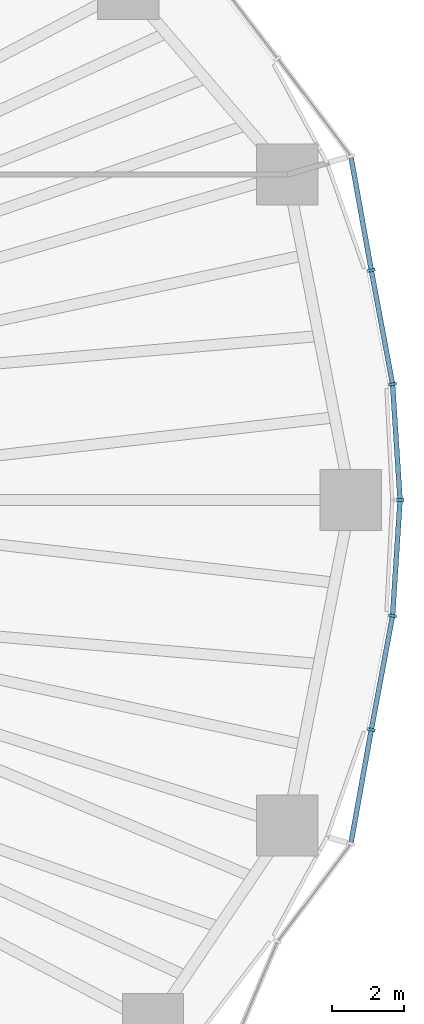
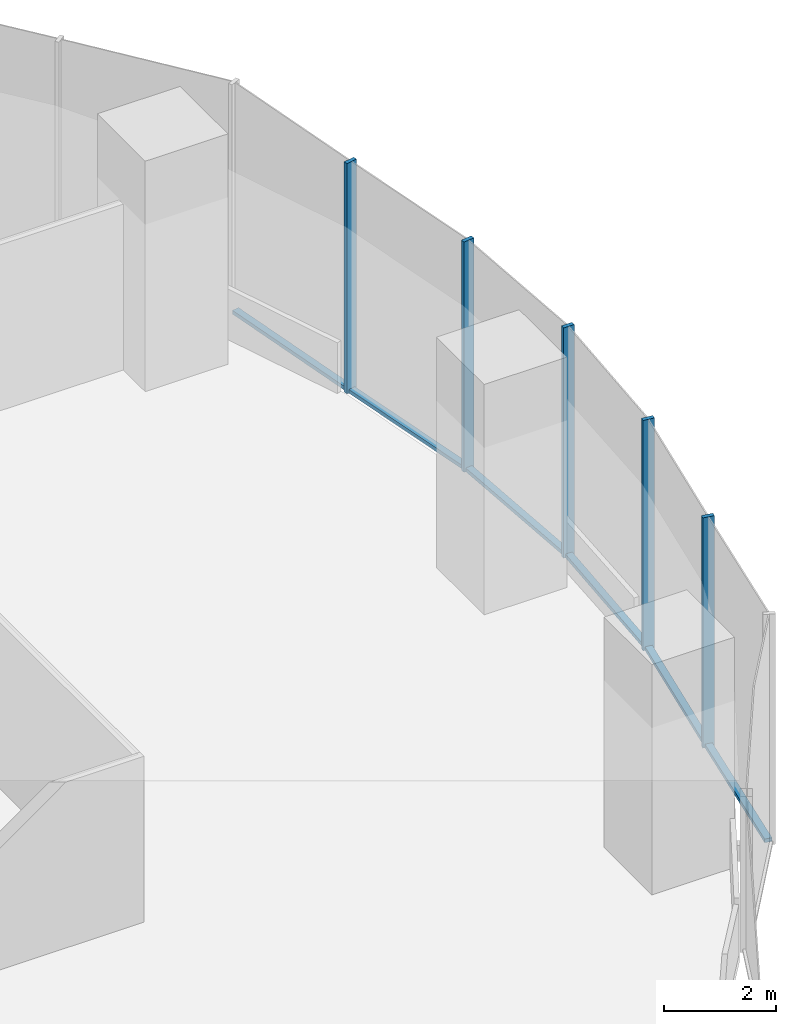
# One storey, part 7 of 19: 11 members, 2 elements without a shape of their own.
"""IFC4 building model written with IfcOpenShell, lengths in metres."""

from ifc_helpers import new_model, si_unit, direction, frame, origin, origin_2d, place, context, subcontext, project, spatial, rectangle, extrude, material, material_profile, profile_set, type_object, element, aggregate, save


model = new_model("IFC4")

# Units and contexts
model_context = context("Model", 3, precision=1e-05, world=origin(), true_north=direction((0.0, 1.0)))
body_context = subcontext(model_context, "Body", "Model", "MODEL_VIEW")
ifc_project = project(units=[si_unit("LENGTHUNIT", "METRE"), si_unit("AREAUNIT", "SQUARE_METRE"), si_unit("VOLUMEUNIT", "CUBIC_METRE"), si_unit("PLANEANGLEUNIT", "RADIAN"), si_unit("MASSUNIT", "GRAM", prefix="KILO")], contexts=[model_context])

# Site, building, storey
site_placement = place(None, origin())
site = spatial("IfcSite", under=ifc_project, at=site_placement, CompositionType="ELEMENT")
building_placement = place(site_placement, origin())
building = spatial("IfcBuilding", under=site, at=building_placement, Name="Ghaith Harvest Tower", CompositionType="ELEMENT")
storey_placement = place(building_placement, frame((0.0, 0.0, 75.0)))
storey = spatial("IfcBuildingStorey", under=building, at=storey_placement, Name="L15", CompositionType="ELEMENT", Elevation=75.0)

# Curtain wall, members
ifc_material_1 = material(Name="Black anodised aluminium and fritted glass", Category="aluminium")
curtain_wall_type = type_object("IfcCurtainWallType", Name="CW-F CURTAIN WALL", PredefinedType="NOTDEFINED", material=ifc_material_1)
curtain_wall_1_placement = place(storey_placement, origin())
curtain_wall_1 = element("IfcCurtainWall", 1, at=curtain_wall_1_placement, inside=storey, type_object=curtain_wall_type, Name="Curtain wall CW-F bay 01 L15", PredefinedType="NOTDEFINED")
ifc_material_2 = material(Name="Aluminium, black anodised", Category="aluminium")
ifc_material_profile_1 = material_profile(ifc_material_2, rectangle(XDim=0.080078125, YDim=0.219970703125, at=origin_2d()), Name="CW-F MULLION 80x220")
ifc_profile_set_1 = profile_set([ifc_material_profile_1], Name="Aluminium, black anodised")
member_type_1 = type_object("IfcMemberType", Name="CW-F MULLION 80x220", PredefinedType="MULLION", material=ifc_profile_set_1)
member_1_placement = place(storey_placement, frame((34.284912109375, 0.0, 0.0), z_axis=(0.0, 0.0, 1.0), x_axis=(1.05e-10, 1.0, 0.0)))
member_1 = element("IfcMember", 2, at=member_1_placement, type_object=member_type_1, Name="CW-F mullion 1 bay 01 L15", PredefinedType="MULLION", context=body_context, shape_type="SweptSolid", body=[
    extrude(rectangle(XDim=0.080078125, YDim=0.219970703125, at=origin_2d()), origin(), (0.0, 0.0, 1.0), 5.0),
])
member_2_placement = place(storey_placement, frame((34.077880859375, 3.205322265625, 0.0), z_axis=(0.0, 0.0, 1.0), x_axis=(-0.12416951168, 0.992261020281, 0.0)))
member_2 = element("IfcMember", 3, at=member_2_placement, type_object=member_type_1, Name="CW-F mullion 2 bay 01 L15", PredefinedType="MULLION", context=body_context, shape_type="SweptSolid", body=[
    extrude(rectangle(XDim=0.080078125, YDim=0.219970703125, at=origin_2d()), origin(), (0.0, 0.0, 1.0), 5.0),
])
member_3_placement = place(storey_placement, frame((33.489501953125, 6.3564453125, 0.0), z_axis=(0.0, 0.0, 1.0), x_axis=(-0.179943325455, 0.98367697931, 0.0)))
member_3 = element("IfcMember", 4, at=member_3_placement, type_object=member_type_1, Name="CW-F mullion 3 bay 01 L15", PredefinedType="MULLION", context=body_context, shape_type="SweptSolid", body=[
    extrude(rectangle(XDim=0.080078125, YDim=0.219970703125, at=origin_2d()), origin(), (0.0, 0.0, 1.0), 5.0),
])

curtain_wall_2_placement = place(storey_placement, origin())
curtain_wall_2 = element("IfcCurtainWall", 5, at=curtain_wall_2_placement, inside=storey, type_object=curtain_wall_type, Name="Curtain wall CW-F bay 20 L15", PredefinedType="NOTDEFINED")
member_4_placement = place(storey_placement, frame((33.489501953125, -6.3564453125, 0.0), z_axis=(0.0, 0.0, 1.0), x_axis=(0.17994332573, 0.98367697926, 0.0)))
member_4 = element("IfcMember", 6, at=member_4_placement, type_object=member_type_1, Name="CW-F mullion 2 bay 20 L15", PredefinedType="MULLION", context=body_context, shape_type="SweptSolid", body=[
    extrude(rectangle(XDim=0.080078125, YDim=0.219970703125, at=origin_2d()), origin(), (0.0, 0.0, 1.0), 5.0),
])
member_5_placement = place(storey_placement, frame((34.077880859375, -3.205322265625, 0.0), z_axis=(0.0, 0.0, 1.0), x_axis=(0.124169511819, 0.992261020264, 0.0)))
member_5 = element("IfcMember", 7, at=member_5_placement, type_object=member_type_1, Name="CW-F mullion 3 bay 20 L15", PredefinedType="MULLION", context=body_context, shape_type="SweptSolid", body=[
    extrude(rectangle(XDim=0.080078125, YDim=0.219970703125, at=origin_2d()), origin(), (0.0, 0.0, 1.0), 5.0),
])

# Member
ifc_material_3 = material(Name="Aluminium, black anodised", Category="aluminium")
ifc_material_profile_2 = material_profile(ifc_material_3, rectangle(XDim=0.139892578125, YDim=0.080078125, at=origin_2d()), Name="CW-F TRANSOM 140x80")
ifc_profile_set_2 = profile_set([ifc_material_profile_2], Name="Aluminium, black anodised")
member_type_2 = type_object("IfcMemberType", Name="CW-F TRANSOM 140x80", PredefinedType="USERDEFINED", material=ifc_profile_set_2)
member_6_placement = place(storey_placement, frame((34.282470703125, 0.039794921875, 0.0400390625), z_axis=(-0.064459898973, 0.997920298132, 0.0), x_axis=(-0.997920298132, -0.064459898973, 0.0)))
member_6 = element("IfcMember", 8, at=member_6_placement, type_object=member_type_2, Name="CW-F transom 1 bay 01 L15", ObjectType="TRANSOM", PredefinedType="USERDEFINED", context=body_context, shape_type="SweptSolid", body=[
    extrude(rectangle(XDim=0.139892578125, YDim=0.080078125, at=origin_2d()), origin(), (0.0, 0.0, 1.0), 3.13232421875),
])

member_7_placement = place(storey_placement, frame((34.070556640625, 3.24462890625, 0.0400390625), z_axis=(-0.183557496381, 0.983008975301, 0.0), x_axis=(-0.983008975301, -0.183557496381, 0.0)))
member_7 = element("IfcMember", 9, at=member_7_placement, type_object=member_type_2, Name="CW-F transom 2 bay 01 L15", ObjectType="TRANSOM", PredefinedType="USERDEFINED", context=body_context, shape_type="SweptSolid", body=[
    extrude(rectangle(XDim=0.139892578125, YDim=0.080078125, at=origin_2d()), origin(), (0.0, 0.0, 1.0), 3.125732421875),
])

member_8_placement = place(storey_placement, frame((33.482421875, 6.395751953125, 0.0400390625), z_axis=(-0.176303612865, 0.984335835013, 0.0), x_axis=(-0.984335835013, -0.176303612865, 0.0)))
member_8 = element("IfcMember", 10, at=member_8_placement, type_object=member_type_2, Name="CW-F transom 3 bay 01 L15", ObjectType="TRANSOM", PredefinedType="USERDEFINED", context=body_context, shape_type="SweptSolid", body=[
    extrude(rectangle(XDim=0.139892578125, YDim=0.080078125, at=origin_2d()), origin(), (0.0, 0.0, 1.0), 3.129638671875),
])

aggregate(curtain_wall_1, [member_1, member_6, member_2, member_7, member_3, member_8])

member_9_placement = place(storey_placement, frame((32.9306640625, -9.476318359375, 0.0400390625), z_axis=(0.176303612865, 0.984335835013, 0.0), x_axis=(-0.984335835013, 0.176303612865, 0.0)))
member_9 = element("IfcMember", 11, at=member_9_placement, type_object=member_type_2, Name="CW-F transom 1 bay 20 L15", ObjectType="TRANSOM", PredefinedType="USERDEFINED", context=body_context, shape_type="SweptSolid", body=[
    extrude(rectangle(XDim=0.139892578125, YDim=0.080078125, at=origin_2d()), origin(), (0.0, 0.0, 1.0), 3.129638671875),
])

member_10_placement = place(storey_placement, frame((33.496826171875, -6.317138671875, 0.0400390625), z_axis=(0.183557496381, 0.983008975301, 0.0), x_axis=(-0.983008975301, 0.183557496381, 0.0)))
member_10 = element("IfcMember", 12, at=member_10_placement, type_object=member_type_2, Name="CW-F transom 2 bay 20 L15", ObjectType="TRANSOM", PredefinedType="USERDEFINED", context=body_context, shape_type="SweptSolid", body=[
    extrude(rectangle(XDim=0.139892578125, YDim=0.080078125, at=origin_2d()), origin(), (0.0, 0.0, 1.0), 3.125732421875),
])

member_11_placement = place(storey_placement, frame((34.08056640625, -3.16552734375, 0.0400390625), z_axis=(0.064459898973, 0.997920298132, 0.0), x_axis=(-0.997920298132, 0.064459898973, 0.0)))
member_11 = element("IfcMember", 13, at=member_11_placement, type_object=member_type_2, Name="CW-F transom 3 bay 20 L15", ObjectType="TRANSOM", PredefinedType="USERDEFINED", context=body_context, shape_type="SweptSolid", body=[
    extrude(rectangle(XDim=0.139892578125, YDim=0.080078125, at=origin_2d()), origin(), (0.0, 0.0, 1.0), 3.13232421875),
])

aggregate(curtain_wall_2, [member_9, member_4, member_10, member_5, member_11])

save(model, "model.ifc")
